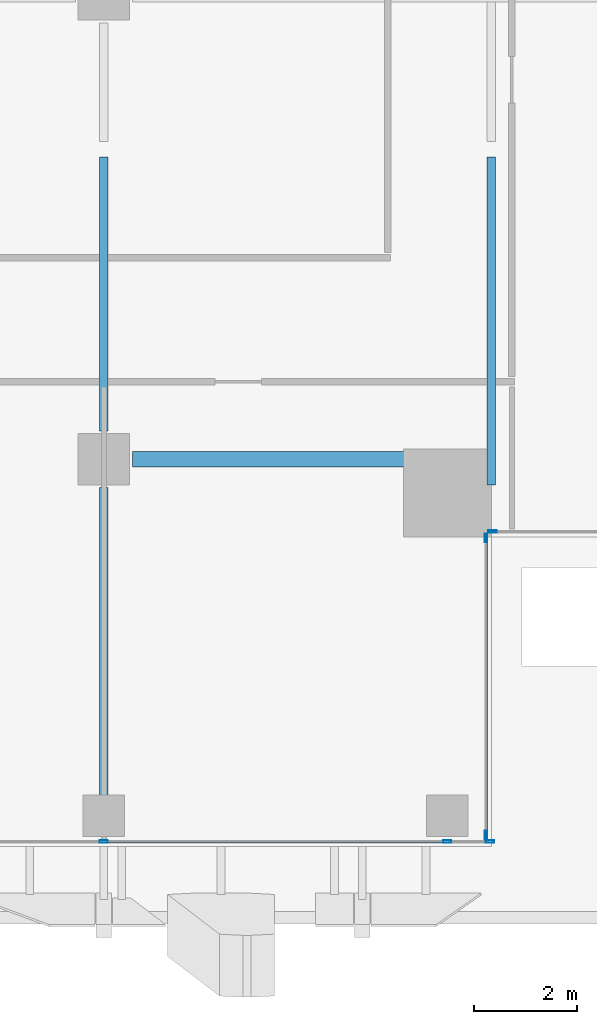
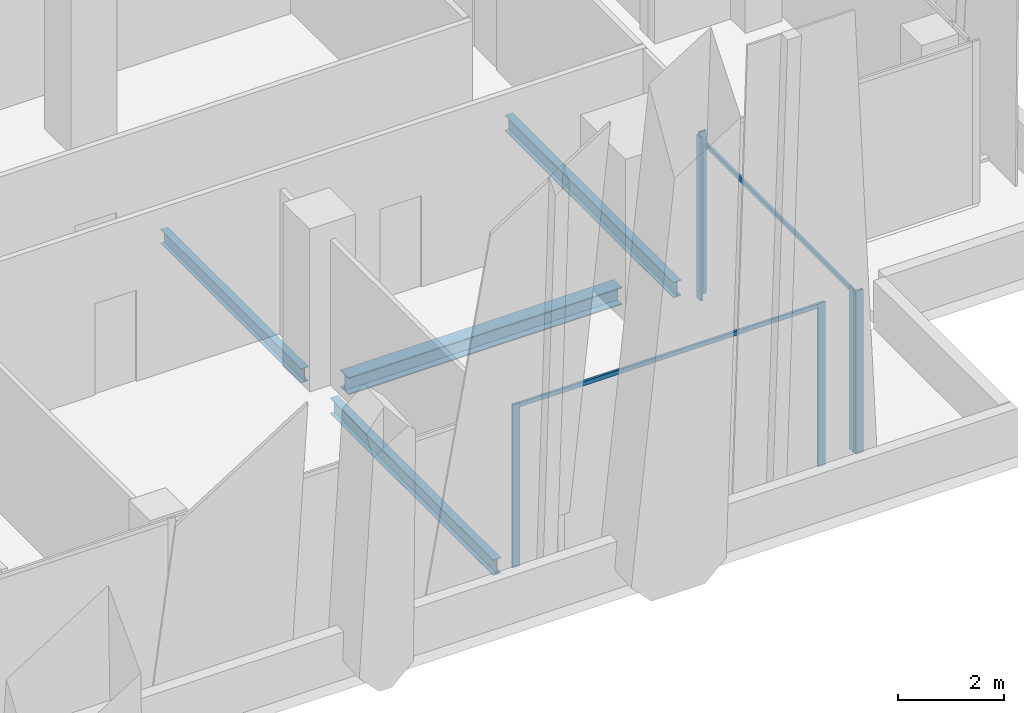
# One storey, part 7 of 32: 8 members, 4 beams, 3 elements without a shape of their own.
"""IFC4 building model written with IfcOpenShell, lengths in metres."""

from ifc_helpers import new_model, si_unit, direction, frame, origin, origin_2d, place, context, subcontext, project, spatial, hollow_rectangle, i_section, extrude, source, transform, mapped, material, material_profile, profile_set, type_object, element, aggregate, save


model = new_model("IFC4")

# Units and contexts
model_context = context("Model", 3, precision=1e-05, world=origin(), true_north=direction((0.0, 1.0)))
body_context = subcontext(model_context, "Body", "Model", "MODEL_VIEW")
ifc_project = project(units=[si_unit("LENGTHUNIT", "METRE"), si_unit("AREAUNIT", "SQUARE_METRE"), si_unit("VOLUMEUNIT", "CUBIC_METRE"), si_unit("PLANEANGLEUNIT", "RADIAN"), si_unit("MASSUNIT", "GRAM", prefix="KILO")], contexts=[model_context])

# Site, building, storey
site_placement = place(None, origin())
site = spatial("IfcSite", under=ifc_project, at=site_placement, CompositionType="ELEMENT")
building_placement = place(site_placement, origin())
building = spatial("IfcBuilding", under=site, at=building_placement, Name="Khomas Fold Tower", CompositionType="ELEMENT")
storey_placement = place(building_placement, frame((0.0, 0.0, 282.199951171875)))
storey = spatial("IfcBuildingStorey", under=building, at=storey_placement, Name="L63", CompositionType="ELEMENT", Elevation=282.199951171875)

# Beams
ifc_material_1 = material(Name="Steel S355", Category="steel")
ifc_material_profile_1 = material_profile(ifc_material_1, i_section(OverallWidth=0.300048828125, OverallDepth=0.39990234375, WebThickness=0.013427734375, FlangeThickness=0.02392578125, at=origin_2d()), Name="HE 400 B")
ifc_profile_set_1 = profile_set([ifc_material_profile_1], Name="Steel S355")
beam_type_1 = type_object("IfcBeamType", Name="HE 400 B beam GB1", PredefinedType="BEAM", material=ifc_profile_set_1)
shared_shape_1 = source(origin(), body_context, "Body", "SweptSolid", [
    extrude(i_section(OverallWidth=0.300048828125, OverallDepth=0.39990234375, WebThickness=0.013427734375, FlangeThickness=0.02392578125, at=origin_2d()), origin(), (0.0, 0.0, 1.0), 5.949951171875),
])
beam_1_placement = place(storey_placement, frame((35.050048828125, 13.5, -0.449951171875), z_axis=(1.0, 0.0, 0.0), x_axis=(0.0, 1.0, 0.0)))
element("IfcBeam", 1, at=beam_1_placement, inside=storey, type_object=beam_type_1, Name="GB1", PredefinedType="BEAM", context=body_context, shape_type="MappedRepresentation", body=[
    mapped(shared_shape_1, transform((0.0, 0.0, 0.0))),
])
ifc_material_2 = material(Name="Steel S355", Category="steel")
ifc_material_profile_2 = material_profile(ifc_material_2, i_section(OverallWidth=0.169921875, OverallDepth=0.360107421875, WebThickness=0.008056640625, FlangeThickness=0.0126953125, at=origin_2d()), Name="IPE 360")
ifc_profile_set_2 = profile_set([ifc_material_profile_2], Name="Steel S355")
beam_type_2 = type_object("IfcBeamType", Name="IPE 360 beam JB2", PredefinedType="BEAM", material=ifc_profile_set_2)
shared_shape_2 = source(origin(), body_context, "Body", "SweptSolid", [
    extrude(i_section(OverallWidth=0.169921875, OverallDepth=0.360107421875, WebThickness=0.008056640625, FlangeThickness=0.0126953125, at=origin_2d()), origin(), (0.0, 0.0, 1.0), 6.14990234375),
])
beam_2_placement = place(storey_placement, frame((34.5, 6.800048828125, -0.429931640625), z_axis=(0.0, 1.0, 0.0), x_axis=(-1.0, 0.0, 0.0)))
element("IfcBeam", 2, at=beam_2_placement, inside=storey, type_object=beam_type_2, Name="JB2", PredefinedType="BEAM", context=body_context, shape_type="MappedRepresentation", body=[
    mapped(shared_shape_2, transform((0.0, 0.0, 0.0))),
])
ifc_material_3 = material(Name="Steel S355", Category="steel")
ifc_material_profile_3 = material_profile(ifc_material_3, i_section(OverallWidth=0.159912109375, OverallDepth=0.330078125, WebThickness=0.007568359375, FlangeThickness=0.011474609375, at=origin_2d()), Name="IPE 330")
ifc_profile_set_3 = profile_set([ifc_material_profile_3], Name="Steel S355")
beam_type_3 = type_object("IfcBeamType", Name="IPE 330 beam JB1", PredefinedType="BEAM", material=ifc_profile_set_3)
shared_shape_3 = source(origin(), body_context, "Body", "SweptSolid", [
    extrude(i_section(OverallWidth=0.159912109375, OverallDepth=0.330078125, WebThickness=0.007568359375, FlangeThickness=0.011474609375, at=origin_2d()), origin(), (0.0, 0.0, 1.0), 5.299072265625),
])
beam_3_placement = place(storey_placement, frame((34.5, 14.050048828125, -0.4150390625), z_axis=(0.0, 1.0, 0.0), x_axis=(-1.0, 0.0, 0.0)))
element("IfcBeam", 3, at=beam_3_placement, inside=storey, type_object=beam_type_3, Name="JB1", PredefinedType="BEAM", context=body_context, shape_type="MappedRepresentation", body=[
    mapped(shared_shape_3, transform((0.0, 0.0, 0.0))),
])
shared_shape_4 = source(origin(), body_context, "Body", "SweptSolid", [
    extrude(i_section(OverallWidth=0.169921875, OverallDepth=0.360107421875, WebThickness=0.008056640625, FlangeThickness=0.0126953125, at=origin_2d()), origin(), (0.0, 0.0, 1.0), 6.34912109375),
])
beam_4_placement = place(storey_placement, frame((42.0, 13.0, -0.429931640625), z_axis=(0.0, 1.0, 0.0), x_axis=(-1.0, 0.0, 0.0)))
element("IfcBeam", 4, at=beam_4_placement, inside=storey, type_object=beam_type_2, Name="JB2", PredefinedType="BEAM", context=body_context, shape_type="MappedRepresentation", body=[
    mapped(shared_shape_4, transform((0.0, 0.0, 0.0))),
])

# Curtain wall, members
ifc_material_4 = material(Name="Aluminium framed double glazing", Category="aluminium")
curtain_wall_type = type_object("IfcCurtainWallType", Name="SK-Unitised clear-glass wall, upper floors CW3", PredefinedType="NOTDEFINED", material=ifc_material_4)
curtain_wall_1_placement = place(storey_placement, origin())
curtain_wall_1 = element("IfcCurtainWall", 5, at=curtain_wall_1_placement, inside=storey, type_object=curtain_wall_type, Name="CW3 run L63 00-0", PredefinedType="NOTDEFINED")
ifc_material_5 = material(Name="Aluminium", Category="aluminium")
ifc_material_profile_4 = material_profile(ifc_material_5, hollow_rectangle(XDim=0.050048828125, YDim=0.159912109375, WallThickness=0.00390625, at=origin_2d()), Name="SK-Unitised clear-glass wall, upper floors mullion CW3-M")
ifc_profile_set_4 = profile_set([ifc_material_profile_4], Name="Aluminium")
member_type_1 = type_object("IfcMemberType", Name="SK-Unitised clear-glass wall, upper floors mullion CW3-M", PredefinedType="MULLION", material=ifc_profile_set_4)
shared_shape_5 = source(origin(), body_context, "Body", "SweptSolid", [
    extrude(hollow_rectangle(XDim=0.050048828125, YDim=0.159912109375, WallThickness=0.00390625, at=origin_2d()), origin(), (0.0, 0.0, 1.0), 3.75),
])
member_1_placement = place(storey_placement, frame((34.5, 6.10009765625, 0.0), z_axis=(0.0, 0.0, 1.0), x_axis=(0.0, 1.0, 0.0)))
member_1 = element("IfcMember", 6, at=member_1_placement, type_object=member_type_1, Name="CW3 mullion 5", PredefinedType="MULLION", context=body_context, shape_type="MappedRepresentation", body=[
    mapped(shared_shape_5, transform((0.0, 0.0, 0.0))),
])
member_2_placement = place(storey_placement, frame((41.14990234375, 6.10009765625, 0.0), z_axis=(0.0, 0.0, 1.0), x_axis=(0.0, 1.0, 0.0)))
member_2 = element("IfcMember", 7, at=member_2_placement, type_object=member_type_1, Name="CW3 mullion 6", PredefinedType="MULLION", context=body_context, shape_type="MappedRepresentation", body=[
    mapped(shared_shape_5, transform((0.0, 0.0, 0.0))),
])
member_3_placement = place(storey_placement, frame((41.97509765625, 6.10009765625, 0.0), z_axis=(0.0, 0.0, 1.0), x_axis=(0.0, 1.0, 0.0)))
member_3 = element("IfcMember", 8, at=member_3_placement, type_object=member_type_1, Name="CW3 mullion 7", PredefinedType="MULLION", context=body_context, shape_type="MappedRepresentation", body=[
    mapped(shared_shape_5, transform((0.0, 0.0, 0.0))),
])

curtain_wall_2_placement = place(storey_placement, origin())
curtain_wall_2 = element("IfcCurtainWall", 9, at=curtain_wall_2_placement, inside=storey, type_object=curtain_wall_type, Name="CW3 corner return L63 01", PredefinedType="NOTDEFINED")
member_4_placement = place(storey_placement, frame((41.89990234375, 6.22509765625, 0.0), z_axis=(0.0, 0.0, 1.0), x_axis=(-1.0, 0.0, 0.0)))
member_4 = element("IfcMember", 10, at=member_4_placement, type_object=member_type_1, Name="CW3 mullion 1", PredefinedType="MULLION", context=body_context, shape_type="MappedRepresentation", body=[
    mapped(shared_shape_5, transform((0.0, 0.0, 0.0))),
])
member_5_placement = place(storey_placement, frame((41.89990234375, 11.97509765625, 0.0), z_axis=(0.0, 0.0, 1.0), x_axis=(-1.0, 0.0, 0.0)))
member_5 = element("IfcMember", 11, at=member_5_placement, type_object=member_type_1, Name="CW3 mullion 2", PredefinedType="MULLION", context=body_context, shape_type="MappedRepresentation", body=[
    mapped(shared_shape_5, transform((0.0, 0.0, 0.0))),
])

# Curtain wall, member
curtain_wall_3_placement = place(storey_placement, origin())
curtain_wall_3 = element("IfcCurtainWall", 12, at=curtain_wall_3_placement, inside=storey, type_object=curtain_wall_type, Name="CW3 corner return L63 02", PredefinedType="NOTDEFINED")
member_6_placement = place(storey_placement, frame((42.02490234375, 12.10009765625, 0.0), z_axis=(0.0, 0.0, 1.0), x_axis=(0.0, 1.0, 0.0)))
member_6 = element("IfcMember", 13, at=member_6_placement, type_object=member_type_1, Name="CW3 mullion 1", PredefinedType="MULLION", context=body_context, shape_type="MappedRepresentation", body=[
    mapped(shared_shape_5, transform((0.0, 0.0, 0.0))),
])
aggregate(curtain_wall_3, [member_6])

# Member
ifc_material_6 = material(Name="Aluminium", Category="aluminium")
ifc_material_profile_5 = material_profile(ifc_material_6, hollow_rectangle(XDim=0.050048828125, YDim=0.10009765625, WallThickness=0.00390625, at=origin_2d()), Name="SK-Unitised clear-glass wall, upper floors transom CW3-T")
ifc_profile_set_5 = profile_set([ifc_material_profile_5], Name="Aluminium")
member_type_2 = type_object("IfcMemberType", Name="SK-Unitised clear-glass wall, upper floors transom CW3-T", PredefinedType="USERDEFINED", material=ifc_profile_set_5)
shared_shape_6 = source(origin(), body_context, "Body", "SweptSolid", [
    extrude(hollow_rectangle(XDim=0.050048828125, YDim=0.10009765625, WallThickness=0.00390625, at=origin_2d()), origin(), (0.0, 0.0, 1.0), 6.60009765625),
])
member_7_placement = place(storey_placement, frame((34.52490234375, 6.10009765625, 3.699951171875), z_axis=(1.0, 0.0, 0.0), x_axis=(0.0, 1.0, 0.0)))
member_7 = element("IfcMember", 14, at=member_7_placement, type_object=member_type_2, Name="CW3 transom 5", ObjectType="TRANSOM", PredefinedType="USERDEFINED", context=body_context, shape_type="MappedRepresentation", body=[
    mapped(shared_shape_6, transform((0.0, 0.0, 0.0))),
])

aggregate(curtain_wall_1, [member_1, member_2, member_3, member_7])

shared_shape_7 = source(origin(), body_context, "Body", "SweptSolid", [
    extrude(hollow_rectangle(XDim=0.050048828125, YDim=0.10009765625, WallThickness=0.00390625, at=origin_2d()), origin(), (0.0, 0.0, 1.0), 5.699951171875),
])
member_8_placement = place(storey_placement, frame((41.89990234375, 6.25, 3.699951171875), z_axis=(0.0, 1.0, 0.0), x_axis=(-1.0, 0.0, 0.0)))
member_8 = element("IfcMember", 15, at=member_8_placement, type_object=member_type_2, Name="CW3 transom 1", ObjectType="TRANSOM", PredefinedType="USERDEFINED", context=body_context, shape_type="MappedRepresentation", body=[
    mapped(shared_shape_7, transform((0.0, 0.0, 0.0))),
])

aggregate(curtain_wall_2, [member_4, member_5, member_8])

save(model, "model.ifc")
